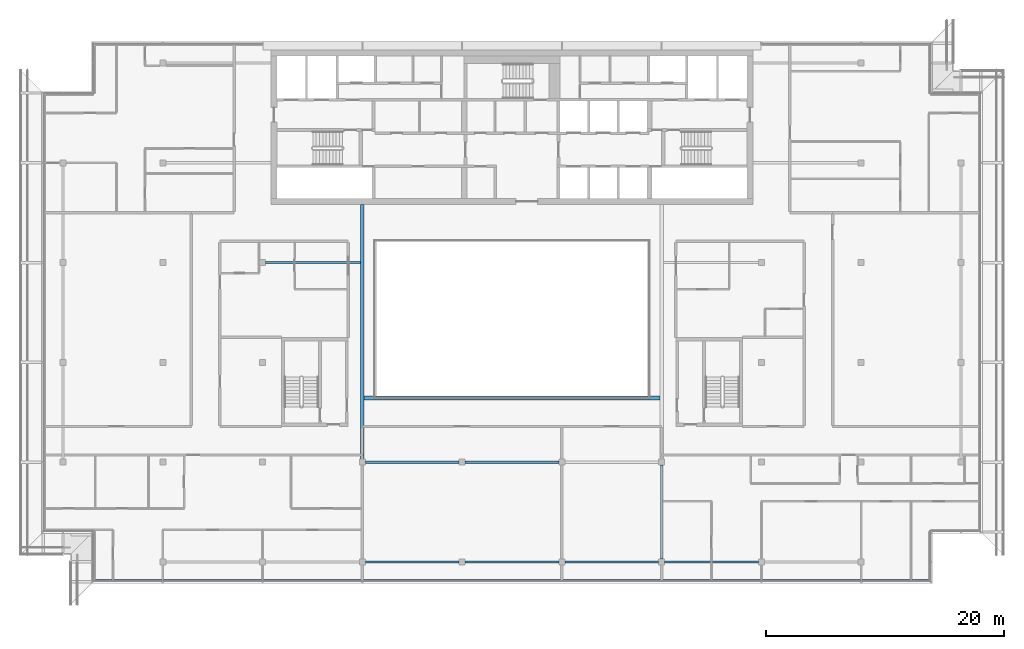
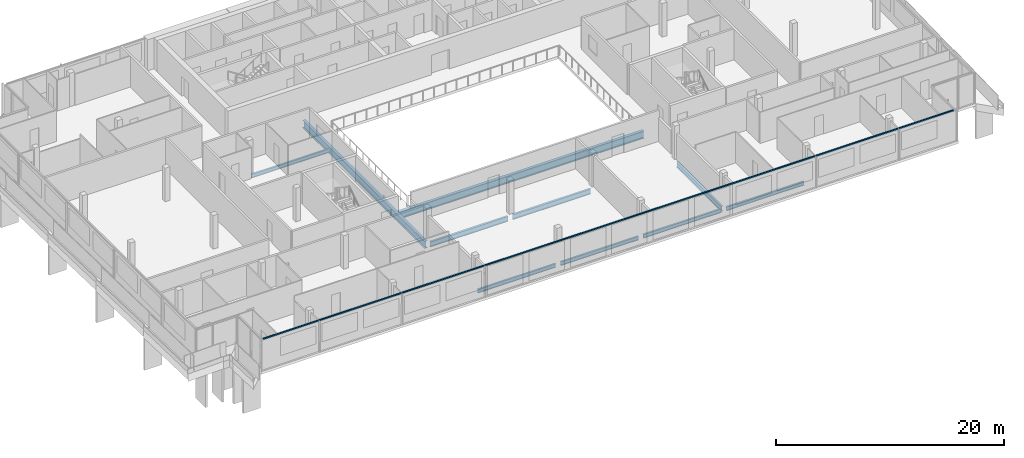
# One storey, part 5 of 27: 10 beams, 1 member, 1 element without a shape of its own.
"""IFC4 building model written with IfcOpenShell, lengths in metres."""

from ifc_helpers import new_model, si_unit, direction, frame, origin, origin_2d, place, context, subcontext, project, spatial, rectangle, i_section, extrude, material, material_profile, profile_set, type_object, element, aggregate, save


model = new_model("IFC4")

# Units and contexts
model_context = context("Model", 3, precision=1e-05, world=origin(), true_north=direction((0.0, 1.0)))
body_context = subcontext(model_context, "Body", "Model", "MODEL_VIEW")
ifc_project = project(units=[si_unit("LENGTHUNIT", "METRE"), si_unit("AREAUNIT", "SQUARE_METRE"), si_unit("VOLUMEUNIT", "CUBIC_METRE"), si_unit("PLANEANGLEUNIT", "RADIAN"), si_unit("MASSUNIT", "GRAM", prefix="KILO")], contexts=[model_context])

# Site, building, storey
site_placement = place(None, origin())
site = spatial("IfcSite", under=ifc_project, at=site_placement, CompositionType="ELEMENT")
building_placement = place(site_placement, origin())
building = spatial("IfcBuilding", under=site, at=building_placement, Name="Saffron Gate Tower", CompositionType="ELEMENT")
storey_placement = place(building_placement, frame((0.0, 0.0, 267.14990234375)))
storey = spatial("IfcBuildingStorey", under=building, at=storey_placement, Name="L64", CompositionType="ELEMENT", Elevation=267.14990234375)

# Beams
ifc_material_1 = material(Name="Structural steel S355", Category="steel")
ifc_material_profile_1 = material_profile(ifc_material_1, i_section(OverallWidth=0.2099609375, OverallDepth=0.550048828125, WebThickness=0.010986328125, FlangeThickness=0.01708984375, FilletRadius=0.02392578125, at=origin_2d()))
ifc_profile_set_1 = profile_set([ifc_material_profile_1], Name="Structural steel S355")
beam_type_1 = type_object("IfcBeamType", Name="B12 IPE 550", PredefinedType="BEAM", material=ifc_profile_set_1)
for number, where, z_axis, x_axis, name in (
    (1, (100.199951171875, 32.050048828125, -0.554931640625), (0.0, 1.0, 0.0), (-1.0, 0.0, 0.0), "B12 FLOOR GIRDER"),
    (2, (75.25, 40.199951171875, -0.554931640625), (1.0, 0.0, 0.0), (0.0, 1.0, 0.0), "B12 FLOOR GIRDER"),
):
    element("IfcBeam", number, at=place(storey_placement, frame(where, z_axis=z_axis, x_axis=x_axis)), inside=storey, type_object=beam_type_1, Name=name, PredefinedType="BEAM", context=body_context, shape_type="SweptSolid", body=[
        extrude(i_section(OverallWidth=0.2099609375, OverallDepth=0.550048828125, WebThickness=0.010986328125, FlangeThickness=0.01708984375, FilletRadius=0.02392578125, at=origin_2d()), origin(), (0.0, 0.0, 1.0), 7.89990234375),
    ])
beam_1_placement = place(storey_placement, frame((83.64990234375, 40.199951171875, -0.554931640625), z_axis=(1.0, 0.0, 0.0), x_axis=(0.0, 1.0, 0.0)))
element("IfcBeam", 3, at=beam_1_placement, inside=storey, type_object=beam_type_1, Name="B12 FLOOR GIRDER", PredefinedType="BEAM", context=body_context, shape_type="SweptSolid", body=[
    extrude(i_section(OverallWidth=0.2099609375, OverallDepth=0.550048828125, WebThickness=0.010986328125, FlangeThickness=0.01708984375, FilletRadius=0.02392578125, at=origin_2d()), origin(), (0.0, 0.0, 1.0), 7.900146484375),
])
ifc_material_profile_2 = material_profile(ifc_material_1, i_section(OverallWidth=0.300048828125, OverallDepth=0.7900390625, WebThickness=0.014892578125, FlangeThickness=0.028076171875, FilletRadius=0.030029296875, at=origin_2d()))
ifc_profile_set_2 = profile_set([ifc_material_profile_2], Name="Structural steel S355")
beam_type_2 = type_object("IfcBeamType", Name="B18 HEA 800", PredefinedType="BEAM", material=ifc_profile_set_2)
beam_2_placement = place(storey_placement, frame((75.0, 40.449951171875, -0.6748046875), z_axis=(0.0, 1.0, 0.0), x_axis=(-1.0, 0.0, 0.0)))
element("IfcBeam", 4, at=beam_2_placement, inside=storey, type_object=beam_type_2, Name="B18 ATRIUM GIRDER", PredefinedType="BEAM", context=body_context, shape_type="SweptSolid", body=[
    extrude(i_section(OverallWidth=0.300048828125, OverallDepth=0.7900390625, WebThickness=0.014892578125, FlangeThickness=0.028076171875, FilletRadius=0.030029296875, at=origin_2d()), origin(), (0.0, 0.0, 1.0), 21.449951171875),
])
beam_3_placement = place(storey_placement, frame((75.14990234375, 45.60009765625, -0.6748046875), z_axis=(1.0, 0.0, 0.0), x_axis=(0.0, 1.0, 0.0)))
element("IfcBeam", 5, at=beam_3_placement, inside=storey, type_object=beam_type_2, Name="B18 ATRIUM GIRDER", PredefinedType="BEAM", context=body_context, shape_type="SweptSolid", body=[
    extrude(i_section(OverallWidth=0.300048828125, OverallDepth=0.7900390625, WebThickness=0.014892578125, FlangeThickness=0.028076171875, FilletRadius=0.030029296875, at=origin_2d()), origin(), (0.0, 0.0, 1.0), 24.900146484375),
])
ifc_material_profile_3 = material_profile(ifc_material_1, i_section(OverallWidth=0.179931640625, OverallDepth=0.39990234375, WebThickness=0.008544921875, FlangeThickness=0.013427734375, FilletRadius=0.02099609375, at=origin_2d()))
ifc_profile_set_3 = profile_set([ifc_material_profile_3], Name="Structural steel S355")
beam_type_3 = type_object("IfcBeamType", Name="B4 IPE 400", PredefinedType="BEAM", material=ifc_profile_set_3)
beam_4_placement = place(storey_placement, frame((66.85009765625, 57.0, -0.47998046875), z_axis=(1.0, 0.0, 0.0), x_axis=(0.0, 1.0, 0.0)))
element("IfcBeam", 6, at=beam_4_placement, inside=storey, type_object=beam_type_3, Name="B4 CORE TIE BEAM", PredefinedType="BEAM", context=body_context, shape_type="SweptSolid", body=[
    extrude(i_section(OverallWidth=0.179931640625, OverallDepth=0.39990234375, WebThickness=0.008544921875, FlangeThickness=0.013427734375, FilletRadius=0.02099609375, at=origin_2d()), origin(), (0.0, 0.0, 1.0), 8.0),
])
ifc_material_profile_4 = material_profile(ifc_material_1, i_section(OverallWidth=0.179931640625, OverallDepth=0.39990234375, WebThickness=0.008544921875, FlangeThickness=0.013427734375, FilletRadius=0.02099609375, at=origin_2d()))
ifc_profile_set_4 = profile_set([ifc_material_profile_4], Name="Structural steel S355")
beam_type_4 = type_object("IfcBeamType", Name="B5 IPE 400", PredefinedType="SPANDREL", material=ifc_profile_set_4)
beam_5_placement = place(storey_placement, frame((75.25, 31.800048828125, -0.47998046875), z_axis=(1.0, 0.0, 0.0), x_axis=(0.0, 1.0, 0.0)))
element("IfcBeam", 7, at=beam_5_placement, inside=storey, type_object=beam_type_4, Name="B5 SPANDREL BEAM", PredefinedType="SPANDREL", context=body_context, shape_type="SweptSolid", body=[
    extrude(i_section(OverallWidth=0.179931640625, OverallDepth=0.39990234375, WebThickness=0.008544921875, FlangeThickness=0.013427734375, FilletRadius=0.02099609375, at=origin_2d()), origin(), (0.0, 0.0, 1.0), 7.89990234375),
])
beam_6_placement = place(storey_placement, frame((83.64990234375, 31.800048828125, -0.47998046875), z_axis=(1.0, 0.0, 0.0), x_axis=(0.0, 1.0, 0.0)))
element("IfcBeam", 8, at=beam_6_placement, inside=storey, type_object=beam_type_4, Name="B5 SPANDREL BEAM", PredefinedType="SPANDREL", context=body_context, shape_type="SweptSolid", body=[
    extrude(i_section(OverallWidth=0.179931640625, OverallDepth=0.39990234375, WebThickness=0.008544921875, FlangeThickness=0.013427734375, FilletRadius=0.02099609375, at=origin_2d()), origin(), (0.0, 0.0, 1.0), 7.900146484375),
])
beam_7_placement = place(storey_placement, frame((92.050048828125, 31.800048828125, -0.47998046875), z_axis=(1.0, 0.0, 0.0), x_axis=(0.0, 1.0, 0.0)))
element("IfcBeam", 9, at=beam_7_placement, inside=storey, type_object=beam_type_4, Name="B5 SPANDREL BEAM", PredefinedType="SPANDREL", context=body_context, shape_type="SweptSolid", body=[
    extrude(i_section(OverallWidth=0.179931640625, OverallDepth=0.39990234375, WebThickness=0.008544921875, FlangeThickness=0.013427734375, FilletRadius=0.02099609375, at=origin_2d()), origin(), (0.0, 0.0, 1.0), 7.89990234375),
])
beam_8_placement = place(storey_placement, frame((100.449951171875, 31.800048828125, -0.47998046875), z_axis=(1.0, 0.0, 0.0), x_axis=(0.0, 1.0, 0.0)))
element("IfcBeam", 10, at=beam_8_placement, inside=storey, type_object=beam_type_4, Name="B5 SPANDREL BEAM", PredefinedType="SPANDREL", context=body_context, shape_type="SweptSolid", body=[
    extrude(i_section(OverallWidth=0.179931640625, OverallDepth=0.39990234375, WebThickness=0.008544921875, FlangeThickness=0.013427734375, FilletRadius=0.02099609375, at=origin_2d()), origin(), (0.0, 0.0, 1.0), 7.900146484375),
])

# Curtain wall, member
ifc_material_2 = material(Name="Aluminium, bronze anodised", Category="aluminium")
curtain_wall_type = type_object("IfcCurtainWallType", Name="CWS1 curtain wall front facade", PredefinedType="NOTDEFINED", material=ifc_material_2)
curtain_wall_placement = place(storey_placement, origin())
curtain_wall = element("IfcCurtainWall", 11, at=curtain_wall_placement, inside=storey, type_object=curtain_wall_type, Name="CWS1 run 1", PredefinedType="NOTDEFINED")
ifc_material_profile_5 = material_profile(ifc_material_2, rectangle(XDim=0.1201171875, YDim=0.1201171875, at=origin_2d()))
ifc_profile_set_5 = profile_set([ifc_material_profile_5], Name="Aluminium, bronze anodised")
member_type = type_object("IfcMemberType", Name="CWS1 head transom", PredefinedType="USERDEFINED", material=ifc_profile_set_5)
member_placement = place(storey_placement, frame((52.568115234375, 30.248046875, 3.260009765625), z_axis=(1.0, 0.0, 0.0), x_axis=(0.0, 1.0, 0.0)))
member = element("IfcMember", 12, at=member_placement, type_object=member_type, Name="CWS1 head transom", ObjectType="TRANSOM", PredefinedType="USERDEFINED", context=body_context, shape_type="SweptSolid", body=[
    extrude(rectangle(XDim=0.1201171875, YDim=0.1201171875, at=origin_2d()), origin(), (0.0, 0.0, 1.0), 70.06396484375),
])
aggregate(curtain_wall, [member])

save(model, "model.ifc")
